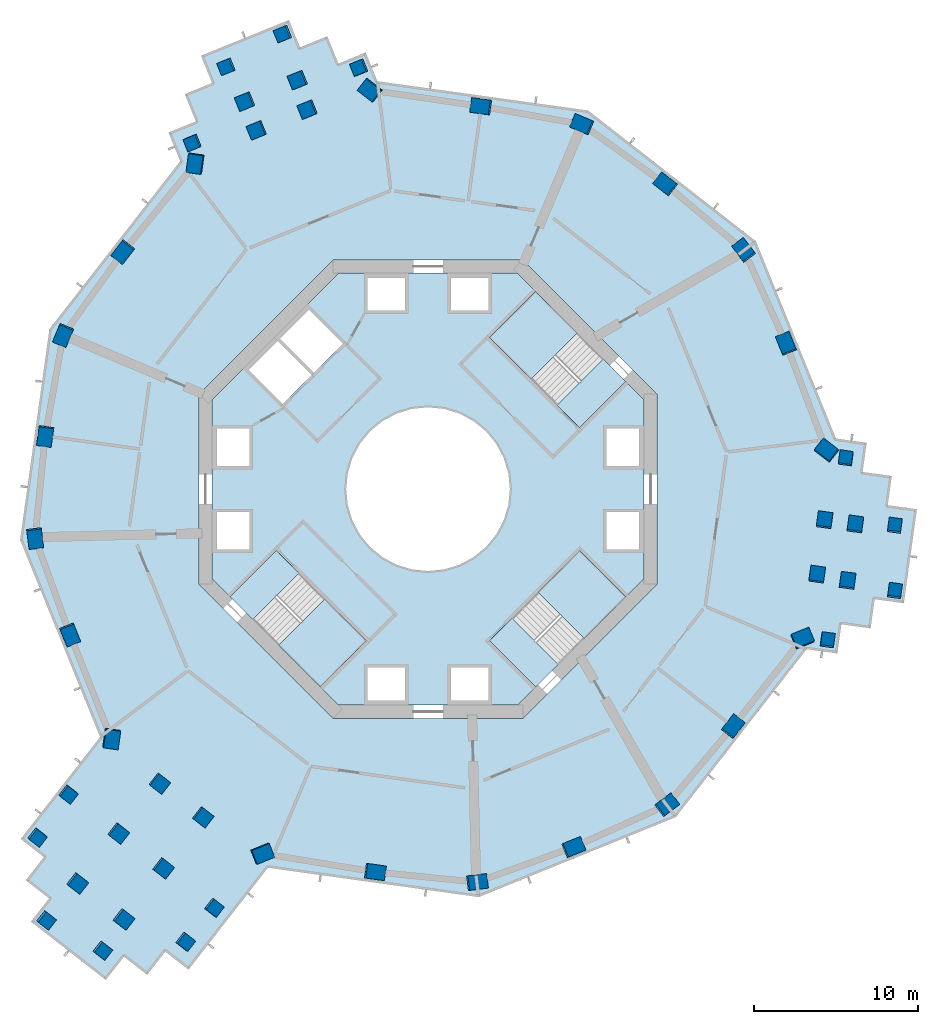
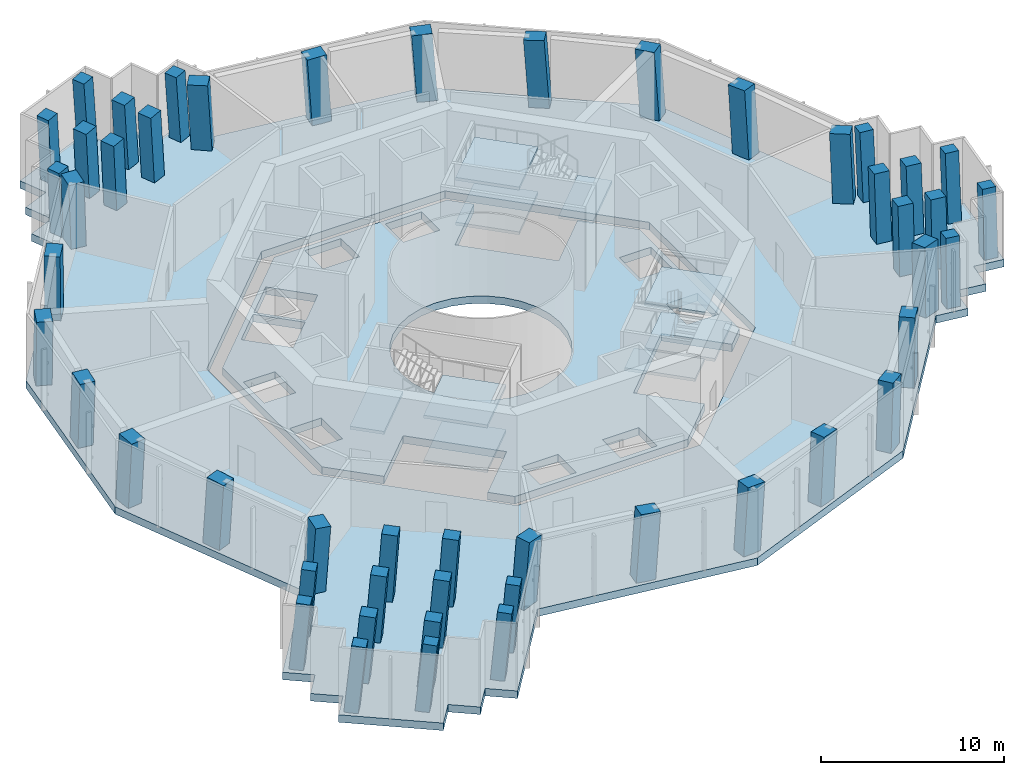
# One storey, part 1 of 17: 49 columns, 11 slabs, 3 elements without a shape of their own.
"""IFC4 building model written with IfcOpenShell, lengths in metres."""

from ifc_helpers import new_model, si_unit, direction, frame, origin, origin_2d, place, context, subcontext, project, spatial, polyline, rectangle, outline, extrude, material, layer, layer_set, material_profile, profile_set, type_object, element, aggregate, save


model = new_model("IFC4")

# Units and contexts
model_context = context("Model", 3, precision=1e-05, world=origin(), true_north=direction((0.0, 1.0)))
body_context = subcontext(model_context, "Body", "Model", "MODEL_VIEW")
ifc_project = project(units=[si_unit("LENGTHUNIT", "METRE"), si_unit("AREAUNIT", "SQUARE_METRE"), si_unit("VOLUMEUNIT", "CUBIC_METRE"), si_unit("PLANEANGLEUNIT", "RADIAN"), si_unit("MASSUNIT", "GRAM", prefix="KILO")], contexts=[model_context])

# Site, building, storey
site_placement = place(None, origin())
site = spatial("IfcSite", under=ifc_project, at=site_placement, CompositionType="ELEMENT")
building_placement = place(site_placement, origin())
building = spatial("IfcBuilding", under=site, at=building_placement, Name="Verdalira Terraces Hotel", CompositionType="ELEMENT")
storey_placement = place(building_placement, frame((0.0, 0.0, 122.0)))
storey = spatial("IfcBuildingStorey", under=building, at=storey_placement, Name="L29", CompositionType="ELEMENT", Elevation=122.0)

# Columns
ifc_material_1 = material(Name="Concrete C80", Category="concrete")
ifc_material_profile_1 = material_profile(ifc_material_1, rectangle(XDim=1.149902, YDim=0.899902, at=origin_2d()), Name="RC 1150X900")
ifc_profile_set_1 = profile_set([ifc_material_profile_1], Name="Concrete C80")
column_type_1 = type_object("IfcColumnType", Name="Column RC 1150X900 C80", PredefinedType="COLUMN", material=ifc_profile_set_1)
column_1_placement = place(storey_placement, frame((-14.204102, 19.905518, 0.0), z_axis=(-0.0551557, -0.040054188, 0.99767405), x_axis=(0.135402045, 0.989664955, 0.047218248)))
element("IfcColumn", 1, at=column_1_placement, inside=storey, type_object=column_type_1, Name="Column C03", PredefinedType="COLUMN", context=body_context, shape_type="SweptSolid", body=[
    extrude(rectangle(XDim=1.149902, YDim=0.899902, at=origin_2d()), origin(), (0.0, 0.0, 1.0), 4.510498),
])
column_2_placement = place(storey_placement, frame((-18.623779, 14.508789, 0.0), z_axis=(-0.040006427, -0.052241139, 0.997832826), x_axis=(-0.613325681, -0.787084661, -0.065797763)))
element("IfcColumn", 2, at=column_2_placement, inside=storey, type_object=column_type_1, Name="Column C04", PredefinedType="COLUMN", context=body_context, shape_type="SweptSolid", body=[
    extrude(rectangle(XDim=1.149902, YDim=0.899902, at=origin_2d()), origin(), (0.0, 0.0, 1.0), 4.509766),
])
column_3_placement = place(storey_placement, frame((-22.282715, 9.421631, 0.0), z_axis=(-0.025711797, -0.062303744, 0.997725988), x_axis=(0.388357572, 0.91904073, 0.067398314)))
element("IfcColumn", 3, at=column_3_placement, inside=storey, type_object=column_type_1, Name="Column C05", PredefinedType="COLUMN", context=body_context, shape_type="SweptSolid", body=[
    extrude(rectangle(XDim=1.149902, YDim=0.899902, at=origin_2d()), origin(), (0.0, 0.0, 1.0), 4.510254),
])
column_4_placement = place(storey_placement, frame((-23.383057, 3.25293, 0.0), z_axis=(-0.008553476, -0.065233788, 0.997833348), x_axis=(-0.13804495, -0.988238477, -0.065789847)))
element("IfcColumn", 4, at=column_4_placement, inside=storey, type_object=column_type_1, Name="Column C06", PredefinedType="COLUMN", context=body_context, shape_type="SweptSolid", body=[
    extrude(rectangle(XDim=1.149902, YDim=0.899902, at=origin_2d()), origin(), (0.0, 0.0, 1.0), 4.509766),
])
column_5_placement = place(storey_placement, frame((-24.008301, -2.981934, 0.0), z_axis=(0.008877346, -0.066796618, 0.997727119), x_axis=(-0.123115196, 0.990102203, 0.067381565)))
element("IfcColumn", 5, at=column_5_placement, inside=storey, type_object=column_type_1, Name="Column C07", PredefinedType="COLUMN", context=body_context, shape_type="SweptSolid", body=[
    extrude(rectangle(XDim=1.149902, YDim=0.899902, at=origin_2d()), origin(), (0.0, 0.0, 1.0), 4.510254),
])
column_6_placement = place(storey_placement, frame((-21.876953, -8.874512, 0.0), z_axis=(0.025227376, -0.060740591, 0.997834736), x_axis=(0.374966282, -0.924702521, -0.0657688)))
element("IfcColumn", 6, at=column_6_placement, inside=storey, type_object=column_type_1, Name="Column C08", PredefinedType="COLUMN", context=body_context, shape_type="SweptSolid", body=[
    extrude(rectangle(XDim=1.149902, YDim=0.899902, at=origin_2d()), origin(), (0.0, 0.0, 1.0), 4.509766),
])
column_7_placement = place(storey_placement, frame((-19.349609, -15.237549, 0.0), z_axis=(0.042921613, -0.053530234, 0.997643348), x_axis=(0.139559797, 0.989094403, 0.047067244)))
element("IfcColumn", 7, at=column_7_placement, inside=storey, type_object=column_type_1, Name="Column C09", PredefinedType="COLUMN", context=body_context, shape_type="SweptSolid", body=[
    extrude(rectangle(XDim=1.149902, YDim=0.899902, at=origin_2d()), origin(), (0.0, 0.0, 1.0), 4.510742),
])
column_8_placement = place(storey_placement, frame((-10.136475, -22.253906, 0.0), z_axis=(0.062246494, -0.027713222, 0.997675975), x_axis=(-0.924689522, -0.377785081, 0.04719873)))
element("IfcColumn", 8, at=column_8_placement, inside=storey, type_object=column_type_1, Name="Column C16", PredefinedType="COLUMN", context=body_context, shape_type="SweptSolid", body=[
    extrude(rectangle(XDim=1.149902, YDim=0.899902, at=origin_2d()), origin(), (0.0, 0.0, 1.0), 4.510498),
])
column_9_placement = place(storey_placement, frame((-3.25293, -23.383057, 0.0), z_axis=(0.065233788, -0.008553476, 0.997833348), x_axis=(0.988238477, -0.13804495, -0.065789847)))
element("IfcColumn", 9, at=column_9_placement, inside=storey, type_object=column_type_1, Name="Column C17", PredefinedType="COLUMN", context=body_context, shape_type="SweptSolid", body=[
    extrude(rectangle(XDim=1.149902, YDim=0.899902, at=origin_2d()), origin(), (0.0, 0.0, 1.0), 4.509766),
])
column_10_placement = place(storey_placement, frame((2.981934, -24.008301, 0.0), z_axis=(0.066796618, 0.008877346, 0.997727119), x_axis=(-0.990102203, -0.123115196, 0.067381565)))
element("IfcColumn", 10, at=column_10_placement, inside=storey, type_object=column_type_1, Name="Column C18", PredefinedType="COLUMN", context=body_context, shape_type="SweptSolid", body=[
    extrude(rectangle(XDim=1.149902, YDim=0.899902, at=origin_2d()), origin(), (0.0, 0.0, 1.0), 4.510254),
])
column_11_placement = place(storey_placement, frame((8.874512, -21.876953, 0.0), z_axis=(0.060740591, 0.025227376, 0.997834736), x_axis=(0.924702521, 0.374966282, -0.0657688)))
element("IfcColumn", 11, at=column_11_placement, inside=storey, type_object=column_type_1, Name="Column C19", PredefinedType="COLUMN", context=body_context, shape_type="SweptSolid", body=[
    extrude(rectangle(XDim=1.149902, YDim=0.899902, at=origin_2d()), origin(), (0.0, 0.0, 1.0), 4.509766),
])
column_12_placement = place(storey_placement, frame((14.586426, -19.300781, 0.0), z_axis=(0.053426422, 0.041084756, 0.997726245), x_axis=(-0.796001802, -0.60153064, 0.067394506)))
element("IfcColumn", 12, at=column_12_placement, inside=storey, type_object=column_type_1, Name="Column C20", PredefinedType="COLUMN", context=body_context, shape_type="SweptSolid", body=[
    extrude(rectangle(XDim=1.149902, YDim=0.899902, at=origin_2d()), origin(), (0.0, 0.0, 1.0), 4.510254),
])
column_13_placement = place(storey_placement, frame((18.623779, -14.508789, 0.0), z_axis=(0.040006427, 0.052241139, 0.997832826), x_axis=(0.613325681, 0.787084661, -0.065797763)))
element("IfcColumn", 13, at=column_13_placement, inside=storey, type_object=column_type_1, Name="Column C21", PredefinedType="COLUMN", context=body_context, shape_type="SweptSolid", body=[
    extrude(rectangle(XDim=1.149902, YDim=0.899902, at=origin_2d()), origin(), (0.0, 0.0, 1.0), 4.509766),
])
column_14_placement = place(storey_placement, frame((22.87085, -9.138672, 0.0), z_axis=(0.024951811, 0.063976227, 0.997639439), x_axis=(-0.92655509, -0.373197896, 0.047106218)))
element("IfcColumn", 14, at=column_14_placement, inside=storey, type_object=column_type_1, Name="Column C22", PredefinedType="COLUMN", context=body_context, shape_type="SweptSolid", body=[
    extrude(rectangle(XDim=1.149902, YDim=0.899902, at=origin_2d()), origin(), (0.0, 0.0, 1.0), 4.510742),
])
column_15_placement = place(storey_placement, frame((24.34082, 2.348389, 0.0), z_axis=(-0.007144812, 0.067767459, 0.99767556), x_axis=(0.789708349, -0.611663802, 0.04720294)))
element("IfcColumn", 15, at=column_15_placement, inside=storey, type_object=column_type_1, Name="Column C27", PredefinedType="COLUMN", context=body_context, shape_type="SweptSolid", body=[
    extrude(rectangle(XDim=1.149902, YDim=0.899902, at=origin_2d()), origin(), (0.0, 0.0, 1.0), 4.510498),
])
column_16_placement = place(storey_placement, frame((21.876953, 8.874512, 0.0), z_axis=(-0.025227376, 0.060740591, 0.997834736), x_axis=(-0.374966282, 0.924702521, -0.0657688)))
element("IfcColumn", 16, at=column_16_placement, inside=storey, type_object=column_type_1, Name="Column C28", PredefinedType="COLUMN", context=body_context, shape_type="SweptSolid", body=[
    extrude(rectangle(XDim=1.149902, YDim=0.899902, at=origin_2d()), origin(), (0.0, 0.0, 1.0), 4.509766),
])
column_17_placement = place(storey_placement, frame((19.300781, 14.586426, 0.0), z_axis=(-0.041084756, 0.053426422, 0.997726245), x_axis=(0.60153064, -0.796001802, 0.067394506)))
element("IfcColumn", 17, at=column_17_placement, inside=storey, type_object=column_type_1, Name="Column C29", PredefinedType="COLUMN", context=body_context, shape_type="SweptSolid", body=[
    extrude(rectangle(XDim=1.149902, YDim=0.899902, at=origin_2d()), origin(), (0.0, 0.0, 1.0), 4.510254),
])
column_18_placement = place(storey_placement, frame((14.508789, 18.623779, 0.0), z_axis=(-0.052241139, 0.040006427, 0.997832826), x_axis=(-0.787084661, 0.613325681, -0.065797763)))
element("IfcColumn", 18, at=column_18_placement, inside=storey, type_object=column_type_1, Name="Column C30", PredefinedType="COLUMN", context=body_context, shape_type="SweptSolid", body=[
    extrude(rectangle(XDim=1.149902, YDim=0.899902, at=origin_2d()), origin(), (0.0, 0.0, 1.0), 4.509766),
])
column_19_placement = place(storey_placement, frame((9.421631, 22.282715, 0.0), z_axis=(-0.062303744, 0.025711797, 0.997725988), x_axis=(0.91904073, -0.388357572, 0.067398314)))
element("IfcColumn", 19, at=column_19_placement, inside=storey, type_object=column_type_1, Name="Column C31", PredefinedType="COLUMN", context=body_context, shape_type="SweptSolid", body=[
    extrude(rectangle(XDim=1.149902, YDim=0.899902, at=origin_2d()), origin(), (0.0, 0.0, 1.0), 4.510254),
])
column_20_placement = place(storey_placement, frame((3.25293, 23.383057, 0.0), z_axis=(-0.065233788, 0.008553476, 0.997833348), x_axis=(-0.988238477, 0.13804495, -0.065789847)))
element("IfcColumn", 20, at=column_20_placement, inside=storey, type_object=column_type_1, Name="Column C32", PredefinedType="COLUMN", context=body_context, shape_type="SweptSolid", body=[
    extrude(rectangle(XDim=1.149902, YDim=0.899902, at=origin_2d()), origin(), (0.0, 0.0, 1.0), 4.509766),
])
column_21_placement = place(storey_placement, frame((-3.52124, 24.375977, 0.0), z_axis=(-0.067819406, -0.01039212, 0.997643489), x_axis=(0.786677122, -0.61556796, 0.04706583)))
element("IfcColumn", 21, at=column_21_placement, inside=storey, type_object=column_type_1, Name="Column C33", PredefinedType="COLUMN", context=body_context, shape_type="SweptSolid", body=[
    extrude(rectangle(XDim=1.149902, YDim=0.899902, at=origin_2d()), origin(), (0.0, 0.0, 1.0), 4.510742),
])
ifc_material_2 = material(Name="Concrete C80", Category="concrete")
ifc_material_profile_2 = material_profile(ifc_material_2, rectangle(XDim=0.800049, YDim=0.800049, at=origin_2d()), Name="RC 800X800")
ifc_profile_set_2 = profile_set([ifc_material_profile_2], Name="Concrete C80")
column_type_2 = type_object("IfcColumnType", Name="Column RC 800X800 C80", PredefinedType="COLUMN", material=ifc_profile_set_2)
column_22_placement = place(storey_placement, frame((-4.19873, 25.753418, 0.0), z_axis=(-0.071587756, -0.012283009, 0.997358672), x_axis=(-0.374774747, 0.926986588, -0.015483997)))
element("IfcColumn", 22, at=column_22_placement, inside=storey, type_object=column_type_2, Name="Column C01", PredefinedType="COLUMN", context=body_context, shape_type="SweptSolid", body=[
    extrude(rectangle(XDim=0.800049, YDim=0.800049, at=origin_2d()), origin(), (0.0, 0.0, 1.0), 4.511963),
])
column_23_placement = place(storey_placement, frame((-14.382324, 21.169189, 0.0), z_axis=(-0.058607147, -0.040532551, 0.997457926), x_axis=(0.376784622, -0.92617125, -0.015497207)))
element("IfcColumn", 23, at=column_23_placement, inside=storey, type_object=column_type_2, Name="Column C02", PredefinedType="COLUMN", context=body_context, shape_type="SweptSolid", body=[
    extrude(rectangle(XDim=0.800049, YDim=0.800049, at=origin_2d()), origin(), (0.0, 0.0, 1.0), 4.511475),
])
column_24_placement = place(storey_placement, frame((-21.988281, -18.624756, 0.0), z_axis=(0.052294353, -0.060730671, 0.99678337), x_axis=(-0.615654621, -0.787859645, -0.015702494)))
element("IfcColumn", 24, at=column_24_placement, inside=storey, type_object=column_type_2, Name="Column C10", PredefinedType="COLUMN", context=body_context, shape_type="SweptSolid", body=[
    extrude(rectangle(XDim=0.800049, YDim=0.800049, at=origin_2d()), origin(), (0.0, 0.0, 1.0), 4.514404),
])
column_25_placement = place(storey_placement, frame((-23.891113, -21.246094, 0.0), z_axis=(0.059658397, -0.06598089, 0.996035842), x_axis=(-0.615647984, -0.787872426, -0.01531667)))
element("IfcColumn", 25, at=column_25_placement, inside=storey, type_object=column_type_2, Name="Column C11", PredefinedType="COLUMN", context=body_context, shape_type="SweptSolid", body=[
    extrude(rectangle(XDim=0.800049, YDim=0.800049, at=origin_2d()), origin(), (0.0, 0.0, 1.0), 4.517822),
])
column_26_placement = place(storey_placement, frame((-23.3479, -26.308838, 0.0), z_axis=(0.073647188, -0.064306305, 0.995208918), x_axis=(0.785227764, -0.611463808, -0.097618493)))
element("IfcColumn", 26, at=column_26_placement, inside=storey, type_object=column_type_2, Name="Column C12", PredefinedType="COLUMN", context=body_context, shape_type="SweptSolid", body=[
    extrude(rectangle(XDim=0.800049, YDim=0.800049, at=origin_2d()), origin(), (0.0, 0.0, 1.0), 4.521729),
])
column_27_placement = place(storey_placement, frame((-19.911377, -28.162109, 0.0), z_axis=(0.078737163, -0.054705587, 0.995393268), x_axis=(0.784829412, -0.612273115, -0.095731009)))
element("IfcColumn", 27, at=column_27_placement, inside=storey, type_object=column_type_2, Name="Column C13", PredefinedType="COLUMN", context=body_context, shape_type="SweptSolid", body=[
    extrude(rectangle(XDim=0.800049, YDim=0.800049, at=origin_2d()), origin(), (0.0, 0.0, 1.0), 4.520752),
])
column_28_placement = place(storey_placement, frame((-14.84668, -27.632812, 0.0), z_axis=(0.077232223, -0.040696896, 0.996182185), x_axis=(0.613696579, 0.789393125, -0.015329828)))
element("IfcColumn", 28, at=column_28_placement, inside=storey, type_object=column_type_2, Name="Column C14", PredefinedType="COLUMN", context=body_context, shape_type="SweptSolid", body=[
    extrude(rectangle(XDim=0.800049, YDim=0.800049, at=origin_2d()), origin(), (0.0, 0.0, 1.0), 4.517334),
])
column_29_placement = place(storey_placement, frame((-13.090088, -25.556885, 0.0), z_axis=(0.071493321, -0.03585482, 0.996796437), x_axis=(0.613425923, 0.789598275, -0.015594912)))
element("IfcColumn", 29, at=column_29_placement, inside=storey, type_object=column_type_2, Name="Column C15", PredefinedType="COLUMN", context=body_context, shape_type="SweptSolid", body=[
    extrude(rectangle(XDim=0.800049, YDim=0.800049, at=origin_2d()), origin(), (0.0, 0.0, 1.0), 4.514404),
])
column_30_placement = place(storey_placement, frame((24.402588, -9.240479, 0.0), z_axis=(0.02516125, 0.06812476, 0.997359478), x_axis=(0.990163816, -0.139053716, -0.015481638)))
element("IfcColumn", 30, at=column_30_placement, inside=storey, type_object=column_type_2, Name="Column C23", PredefinedType="COLUMN", context=body_context, shape_type="SweptSolid", body=[
    extrude(rectangle(XDim=0.800049, YDim=0.800049, at=origin_2d()), origin(), (0.0, 0.0, 1.0), 4.511963),
])
column_31_placement = place(storey_placement, frame((28.515381, -6.238525, 0.0), z_axis=(0.016708928, 0.079489077, 0.99669569), x_axis=(0.137061668, 0.987242507, -0.081032907)))
element("IfcColumn", 31, at=column_31_placement, inside=storey, type_object=column_type_2, Name="Column C24", PredefinedType="COLUMN", context=body_context, shape_type="SweptSolid", body=[
    extrude(rectangle(XDim=0.800049, YDim=0.800049, at=origin_2d()), origin(), (0.0, 0.0, 1.0), 4.514893),
])
column_32_placement = place(storey_placement, frame((28.514893, -2.250488, 0.0), z_axis=(0.005570382, 0.079391462, 0.996827952), x_axis=(0.13744941, 0.987321083, -0.079402378)))
element("IfcColumn", 32, at=column_32_placement, inside=storey, type_object=column_type_2, Name="Column C25", PredefinedType="COLUMN", context=body_context, shape_type="SweptSolid", body=[
    extrude(rectangle(XDim=0.800049, YDim=0.800049, at=origin_2d()), origin(), (0.0, 0.0, 1.0), 4.514404),
])
column_33_placement = place(storey_placement, frame((25.52417, 1.87085, 0.0), z_axis=(-0.005790352, 0.071053566, 0.997455695), x_axis=(-0.990459232, 0.136931133, -0.015503999)))
element("IfcColumn", 33, at=column_33_placement, inside=storey, type_object=column_type_2, Name="Column C26", PredefinedType="COLUMN", context=body_context, shape_type="SweptSolid", body=[
    extrude(rectangle(XDim=0.800049, YDim=0.800049, at=origin_2d()), origin(), (0.0, 0.0, 1.0), 4.511475),
])
column_34_placement = place(storey_placement, frame((-8.854736, 27.814209, 0.0), z_axis=(-0.07721786, -0.025252619, 0.99669439), x_axis=(-0.923635433, -0.374604693, -0.081048817)))
element("IfcColumn", 34, at=column_34_placement, inside=storey, type_object=column_type_2, Name="Column C34", PredefinedType="COLUMN", context=body_context, shape_type="SweptSolid", body=[
    extrude(rectangle(XDim=0.800049, YDim=0.800049, at=origin_2d()), origin(), (0.0, 0.0, 1.0), 4.514893),
])
column_35_placement = place(storey_placement, frame((-12.30835, 25.819824, 0.0), z_axis=(-0.071603526, -0.034828301, 0.996824922), x_axis=(-0.924080604, -0.373850618, -0.079440241)))
element("IfcColumn", 35, at=column_35_placement, inside=storey, type_object=column_type_2, Name="Column C35", PredefinedType="COLUMN", context=body_context, shape_type="SweptSolid", body=[
    extrude(rectangle(XDim=0.800049, YDim=0.800049, at=origin_2d()), origin(), (0.0, 0.0, 1.0), 4.514404),
])
ifc_material_3 = material(Name="Concrete C80", Category="concrete")
ifc_material_profile_3 = material_profile(ifc_material_3, rectangle(XDim=0.899902, YDim=0.899902, at=origin_2d()), Name="RC 900X900")
ifc_profile_set_3 = profile_set([ifc_material_profile_3], Name="Concrete C80")
column_type_3 = type_object("IfcColumnType", Name="Column RC 900X900 C80", PredefinedType="COLUMN", material=ifc_profile_set_3)
column_36_placement = place(storey_placement, frame((-7.352051, 23.195801, 0.0), z_axis=(-0.064467192, -0.021001906, 0.997698803), x_axis=(-0.37524337, 0.926914233, -0.004734816)))
element("IfcColumn", 36, at=column_36_placement, inside=storey, type_object=column_type_3, Name="Column C36", PredefinedType="COLUMN", context=body_context, shape_type="SweptSolid", body=[
    extrude(rectangle(XDim=0.899902, YDim=0.899902, at=origin_2d()), origin(), (0.0, 0.0, 1.0), 4.510498),
])
column_37_placement = place(storey_placement, frame((-10.462402, 21.934082, 0.0), z_axis=(-0.06084105, -0.029662718, 0.997706615), x_axis=(-0.376355977, 0.926463746, 0.004594076)))
element("IfcColumn", 37, at=column_37_placement, inside=storey, type_object=column_type_3, Name="Column C37", PredefinedType="COLUMN", context=body_context, shape_type="SweptSolid", body=[
    extrude(rectangle(XDim=0.899902, YDim=0.899902, at=origin_2d()), origin(), (0.0, 0.0, 1.0), 4.510254),
])
for number, where, z_axis, x_axis, name in (
    (38, (-7.949707, 24.998047, 0.0), (-0.069421253, -0.022725585, 0.99732855), (-0.375639641, 0.926752157, -0.005029826), "Column C38"),
    (39, (-11.174561, 23.689941, 0.0), (-0.065742261, -0.031653681, 0.997334447), (-0.375831119, 0.926676571, 0.004637098), "Column C39"),
):
    element("IfcColumn", number, at=place(storey_placement, frame(where, z_axis=z_axis, x_axis=x_axis)), inside=storey, type_object=column_type_3, Name=name, PredefinedType="COLUMN", context=body_context, shape_type="SweptSolid", body=[
        extrude(rectangle(XDim=0.899902, YDim=0.899902, at=origin_2d()), origin(), (0.0, 0.0, 1.0), 4.511963),
    ])
for number, where, z_axis, x_axis, name in (
    (40, (-16.412109, -17.965088, 0.0), (0.050393874, -0.045305771, 0.99770128), (-0.61512318, -0.788416818, -0.00473227), "Column C40"),
    (41, (-13.764404, -20.027832, 0.0), (0.056131799, -0.037836189, 0.997706191), (-0.613799695, -0.789448431, 0.0045945), "Column C41"),
):
    element("IfcColumn", number, at=place(storey_placement, frame(where, z_axis=z_axis, x_axis=x_axis)), inside=storey, type_object=column_type_3, Name=name, PredefinedType="COLUMN", context=body_context, shape_type="SweptSolid", body=[
        extrude(rectangle(XDim=0.899902, YDim=0.899902, at=origin_2d()), origin(), (0.0, 0.0, 1.0), 4.510254),
    ])
for number, where, z_axis, x_axis, name in (
    (42, (-18.926514, -21.01001, 0.0), (0.058952694, -0.052192064, 0.996895465), (-0.614663199, -0.788774161, -0.004947058), "Column C42"),
    (43, (-16.190186, -23.141602, 0.0), (0.064794366, -0.044566409, 0.996902967), (-0.614587695, -0.788834618, 0.004680791), "Column C43"),
):
    element("IfcColumn", number, at=place(storey_placement, frame(where, z_axis=z_axis, x_axis=x_axis)), inside=storey, type_object=column_type_3, Name=name, PredefinedType="COLUMN", context=body_context, shape_type="SweptSolid", body=[
        extrude(rectangle(XDim=0.899902, YDim=0.899902, at=origin_2d()), origin(), (0.0, 0.0, 1.0), 4.513916),
    ])
column_38_placement = place(storey_placement, frame((-21.440918, -24.054932, 0.0), z_axis=(0.067435527, -0.059114156, 0.995970866), x_axis=(-0.615007329, -0.788504514, -0.005159223)))
element("IfcColumn", 44, at=column_38_placement, inside=storey, type_object=column_type_3, Name="Column C44", PredefinedType="COLUMN", context=body_context, shape_type="SweptSolid", body=[
    extrude(rectangle(XDim=0.899902, YDim=0.899902, at=origin_2d()), origin(), (0.0, 0.0, 1.0), 4.518311),
])
column_39_placement = place(storey_placement, frame((-18.616211, -26.255615, 0.0), z_axis=(0.073488285, -0.051171622, 0.995982398), x_axis=(-0.614112575, -0.789204059, 0.004764369)))
element("IfcColumn", 45, at=column_39_placement, inside=storey, type_object=column_type_3, Name="Column C45", PredefinedType="COLUMN", context=body_context, shape_type="SweptSolid", body=[
    extrude(rectangle(XDim=0.899902, YDim=0.899902, at=origin_2d()), origin(), (0.0, 0.0, 1.0), 4.518066),
])
for number, where, z_axis, x_axis, name in (
    (46, (23.764404, -5.230713, 0.0), (0.013965223, 0.066307743, 0.997701486), (0.990502818, -0.137410968, -0.004732058), "Column C46"),
    (47, (24.226807, -1.906494, 0.0), (0.004709218, 0.067552914, 0.997704579), (0.99056935, -0.136935164, 0.004596113), "Column C47"),
):
    element("IfcColumn", number, at=place(storey_placement, frame(where, z_axis=z_axis, x_axis=x_axis)), inside=storey, type_object=column_type_3, Name=name, PredefinedType="COLUMN", context=body_context, shape_type="SweptSolid", body=[
        extrude(rectangle(XDim=0.899902, YDim=0.899902, at=origin_2d()), origin(), (0.0, 0.0, 1.0), 4.510254),
    ])
for number, where, z_axis, x_axis, name in (
    (48, (25.623779, -5.614502, 0.0), (0.015042177, 0.071477394, 0.99732879), (0.990385304, -0.138244898, -0.005029601), "Column C48"),
    (49, (26.103271, -2.16748, 0.0), (0.005410881, 0.072776351, 0.997333608), (0.990532134, -0.137202705, 0.004637827), "Column C49"),
):
    element("IfcColumn", number, at=place(storey_placement, frame(where, z_axis=z_axis, x_axis=x_axis)), inside=storey, type_object=column_type_3, Name=name, PredefinedType="COLUMN", context=body_context, shape_type="SweptSolid", body=[
        extrude(rectangle(XDim=0.899902, YDim=0.899902, at=origin_2d()), origin(), (0.0, 0.0, 1.0), 4.511963),
    ])

# Slab
ifc_material_4 = material(Name="Concrete C40", Category="concrete")
ifc_layer_1 = layer(ifc_material_4, 0.5)
ifc_layer_set_1 = layer_set([ifc_layer_1], Name="Core floor slab 500 mm")
slab_type_1 = type_object("IfcSlabType", Name="Core floor slab 500 mm", PredefinedType="FLOOR", material=ifc_layer_set_1)
slab_1_placement = place(storey_placement, frame((0.0, 0.0, -0.5)))
element("IfcSlab", 50, at=slab_1_placement, inside=storey, type_object=slab_type_1, Name="L29 core floor", PredefinedType="FLOOR", context=body_context, shape_type="SweptSolid", body=[
    extrude(outline(polyline([(-5.467529, 13.199951), (5.467529, 13.199951), (6.562012, 12.105713), (3.719482, 9.263184), (7.869629, 5.112793), (10.712402, 7.955322), (13.199951, 5.467529), (13.199951, -5.467529), (12.105713, -6.562012), (9.263184, -3.719482), (5.112793, -7.869629), (7.955322, -10.712402), (5.467529, -13.199951), (-5.467529, -13.199951), (-6.562012, -12.105713), (-3.719482, -9.263184), (-7.869629, -5.112793), (-10.712402, -7.955322), (-13.199951, -5.467529), (-13.199951, 5.467529), (-5.467529, 13.199951)]), holes=[polyline([(12.899902, -3.699951), (12.899902, -1.399902), (10.899902, -1.399902), (10.899902, -3.699951), (12.899902, -3.699951)]), polyline([(12.899902, 1.399902), (12.899902, 3.699951), (10.899902, 3.699951), (10.899902, 1.399902), (12.899902, 1.399902)]), polyline([(1.399902, 10.899902), (3.699951, 10.899902), (3.699951, 12.899902), (1.399902, 12.899902), (1.399902, 10.899902)]), polyline([(-3.699951, 10.899902), (-1.399902, 10.899902), (-1.399902, 12.899902), (-3.699951, 12.899902), (-3.699951, 10.899902)]), polyline([(-12.899902, 3.699951), (-12.899902, 1.399902), (-10.899902, 1.399902), (-10.899902, 3.699951), (-12.899902, 3.699951)]), polyline([(-12.899902, -1.399902), (-12.899902, -3.699951), (-10.899902, -3.699951), (-10.899902, -1.399902), (-12.899902, -1.399902)]), polyline([(-1.399902, -10.899902), (-3.699951, -10.899902), (-3.699951, -12.899902), (-1.399902, -12.899902), (-1.399902, -10.899902)]), polyline([(3.699951, -10.899902), (1.399902, -10.899902), (1.399902, -12.899902), (3.699951, -12.899902), (3.699951, -10.899902)]), polyline([(-9.051025, 9.192383), (-6.965088, 7.106445), (-5.197266, 8.874268), (-7.283203, 10.960205), (-9.051025, 9.192383)]), polyline([(-9.192383, 9.051025), (-10.960205, 7.283203), (-8.874268, 5.197266), (-7.106445, 6.965088), (-9.192383, 9.051025)]), polyline([(3.5354, 3.5354), (2.777832, 4.157227), (1.91333, 4.619385), (0.975586, 4.903809), (0.0, 5.0), (-0.975586, 4.903809), (-1.91333, 4.619385), (-2.777832, 4.157227), (-3.5354, 3.5354), (-4.157227, 2.777832), (-4.619385, 1.91333), (-4.903809, 0.975586), (-5.0, 0.0), (-4.903809, -0.975586), (-4.619385, -1.91333), (-4.157227, -2.777832), (-3.5354, -3.5354), (-2.777832, -4.157227), (-1.91333, -4.619385), (-0.975586, -4.903809), (0.0, -5.0), (0.975586, -4.903809), (1.91333, -4.619385), (2.777832, -4.157227), (3.5354, -3.5354), (4.157227, -2.777832), (4.619385, -1.91333), (4.903809, -0.975586), (5.0, 0.0), (4.903809, 0.975586), (4.619385, 1.91333), (4.157227, 2.777832), (3.5354, 3.5354)])]), origin(), (0.0, 0.0, 1.0), 0.5),
])

# Stair, slabs
ifc_material_5 = material(Name="Concrete C40", Category="concrete")
stair_type = type_object("IfcStairType", Name="Core stair 36 risers 1950 mm wide", PredefinedType="HALF_TURN_STAIR", material=ifc_material_5)
stair_1_placement = place(storey_placement, origin())
stair_1 = element("IfcStair", 51, at=stair_1_placement, inside=storey, type_object=stair_type, Name="L29 Exit stair ST1", PredefinedType="HALF_TURN_STAIR")
ifc_material_6 = material(Name="Concrete C40", Category="concrete")
ifc_layer_2 = layer(ifc_material_6, 0.199951171875)
ifc_layer_set_2 = layer_set([ifc_layer_2], Name="Core stair landing 200 mm")
slab_type_2 = type_object("IfcSlabType", Name="Core stair landing 200 mm", PredefinedType="LANDING", material=ifc_layer_set_2)
slab_2_placement = place(storey_placement, frame((0.0, 0.0, 1.300049)))
slab_2 = element("IfcSlab", 52, at=slab_2_placement, type_object=slab_type_2, Name="ST1 landing 1", PredefinedType="LANDING", context=body_context, shape_type="SweptSolid", body=[
    extrude(outline(polyline([(9.12915, 9.538574), (6.576172, 12.091553), (3.747559, 9.263184), (6.300781, 6.710205), (9.12915, 9.538574)])), origin(), (0.0, 0.0, 1.0), 0.199951),
])
slab_3_placement = place(storey_placement, frame((0.0, 0.0, 2.800049)))
slab_3 = element("IfcSlab", 53, at=slab_3_placement, type_object=slab_type_2, Name="ST1 landing 2", PredefinedType="LANDING", context=body_context, shape_type="SweptSolid", body=[
    extrude(outline(polyline([(12.091553, 6.576172), (10.712402, 7.955322), (7.883789, 5.126953), (9.263184, 3.747559), (12.091553, 6.576172)])), origin(), (0.0, 0.0, 1.0), 0.199951),
])
slab_4_placement = place(storey_placement, frame((0.0, 0.0, 4.300049)))
slab_4 = element("IfcSlab", 54, at=slab_4_placement, type_object=slab_type_2, Name="ST1 landing 3", PredefinedType="LANDING", context=body_context, shape_type="SweptSolid", body=[
    extrude(outline(polyline([(9.12915, 9.538574), (6.576172, 12.091553), (3.747559, 9.263184), (6.300781, 6.710205), (9.12915, 9.538574)])), origin(), (0.0, 0.0, 1.0), 0.199951),
])
aggregate(stair_1, [slab_2, slab_3, slab_4])

stair_2_placement = place(storey_placement, origin())
stair_2 = element("IfcStair", 55, at=stair_2_placement, inside=storey, type_object=stair_type, Name="L29 Exit stair ST2", PredefinedType="HALF_TURN_STAIR")
slab_5_placement = place(storey_placement, frame((0.0, 0.0, 1.300049)))
slab_5 = element("IfcSlab", 56, at=slab_5_placement, type_object=slab_type_2, Name="ST2 landing 1", PredefinedType="LANDING", context=body_context, shape_type="SweptSolid", body=[
    extrude(outline(polyline([(-9.12915, -9.538574), (-6.576172, -12.091553), (-3.747559, -9.263184), (-6.300781, -6.710205), (-9.12915, -9.538574)])), origin(), (0.0, 0.0, 1.0), 0.199951),
])
slab_6_placement = place(storey_placement, frame((0.0, 0.0, 2.800049)))
slab_6 = element("IfcSlab", 57, at=slab_6_placement, type_object=slab_type_2, Name="ST2 landing 2", PredefinedType="LANDING", context=body_context, shape_type="SweptSolid", body=[
    extrude(outline(polyline([(-12.091553, -6.576172), (-10.712402, -7.955322), (-7.883789, -5.126953), (-9.263184, -3.747559), (-12.091553, -6.576172)])), origin(), (0.0, 0.0, 1.0), 0.199951),
])
slab_7_placement = place(storey_placement, frame((0.0, 0.0, 4.300049)))
slab_7 = element("IfcSlab", 58, at=slab_7_placement, type_object=slab_type_2, Name="ST2 landing 3", PredefinedType="LANDING", context=body_context, shape_type="SweptSolid", body=[
    extrude(outline(polyline([(-9.12915, -9.538574), (-6.576172, -12.091553), (-3.747559, -9.263184), (-6.300781, -6.710205), (-9.12915, -9.538574)])), origin(), (0.0, 0.0, 1.0), 0.199951),
])
aggregate(stair_2, [slab_5, slab_6, slab_7])

stair_3_placement = place(storey_placement, origin())
stair_3 = element("IfcStair", 59, at=stair_3_placement, inside=storey, type_object=stair_type, Name="L29 Exit stair ST3", PredefinedType="HALF_TURN_STAIR")
slab_8_placement = place(storey_placement, frame((0.0, 0.0, 1.300049)))
slab_8 = element("IfcSlab", 60, at=slab_8_placement, type_object=slab_type_2, Name="ST3 landing 1", PredefinedType="LANDING", context=body_context, shape_type="SweptSolid", body=[
    extrude(outline(polyline([(9.538574, -9.12915), (12.091553, -6.576172), (9.263184, -3.747559), (6.710205, -6.300781), (9.538574, -9.12915)])), origin(), (0.0, 0.0, 1.0), 0.199951),
])
slab_9_placement = place(storey_placement, frame((0.0, 0.0, 2.800049)))
slab_9 = element("IfcSlab", 61, at=slab_9_placement, type_object=slab_type_2, Name="ST3 landing 2", PredefinedType="LANDING", context=body_context, shape_type="SweptSolid", body=[
    extrude(outline(polyline([(6.576172, -12.091553), (7.955322, -10.712402), (5.126953, -7.883789), (3.747559, -9.263184), (6.576172, -12.091553)])), origin(), (0.0, 0.0, 1.0), 0.199951),
])
slab_10_placement = place(storey_placement, frame((0.0, 0.0, 4.300049)))
slab_10 = element("IfcSlab", 62, at=slab_10_placement, type_object=slab_type_2, Name="ST3 landing 3", PredefinedType="LANDING", context=body_context, shape_type="SweptSolid", body=[
    extrude(outline(polyline([(9.538574, -9.12915), (12.091553, -6.576172), (9.263184, -3.747559), (6.710205, -6.300781), (9.538574, -9.12915)])), origin(), (0.0, 0.0, 1.0), 0.199951),
])
aggregate(stair_3, [slab_8, slab_9, slab_10])

# Slab
ifc_material_7 = material(Name="Concrete C40", Category="concrete")
ifc_layer_3 = layer(ifc_material_7, 0.5)
ifc_layer_set_3 = layer_set([ifc_layer_3], Name="Plant floor slab 500 C40")
slab_type_3 = type_object("IfcSlabType", Name="Plant floor slab 500 C40", PredefinedType="FLOOR", material=ifc_layer_set_3)
slab_11_placement = place(storey_placement, frame((0.0, 0.0, -0.5)))
element("IfcSlab", 63, at=slab_11_placement, inside=storey, type_object=slab_type_3, Name="Plant floor slab L29", PredefinedType="FLOOR", context=body_context, shape_type="SweptSolid", body=[
    extrude(outline(polyline([(9.780518, 23.131348), (-3.095459, 24.922607), (-3.807617, 26.678223), (-5.475586, 26.001709), (-6.1521, 27.669678), (-7.820312, 26.99292), (-8.496826, 28.660889), (-13.871582, 26.480713), (-13.194824, 24.812744), (-14.862793, 24.13623), (-14.186279, 22.468262), (-15.854248, 21.791504), (-15.14209, 20.035889), (-23.131348, 9.780518), (-24.922607, -3.095459), (-20.035889, -15.14209), (-24.887695, -21.369873), (-23.467529, -22.476074), (-24.573975, -23.895996), (-23.153809, -25.002197), (-24.26001, -26.422119), (-19.684814, -29.986816), (-18.578369, -28.56665), (-17.158447, -29.672852), (-16.052246, -28.25293), (-14.632324, -29.359131), (-9.780518, -23.131348), (3.095459, -24.922607), (15.14209, -20.035889), (23.131348, -9.780518), (25.007812, -10.041504), (25.255859, -8.258789), (27.038818, -8.506836), (27.286865, -6.724121), (29.06958, -6.971924), (29.868896, -1.227295), (28.085938, -0.979248), (28.333984, 0.803467), (26.551025, 1.051514), (26.799316, 2.834473), (24.922607, 3.095459), (20.035889, 15.14209), (9.780518, 23.131348)]), holes=[polyline([(5.799072, 14.0), (14.0, 5.799072), (14.0, -5.799072), (5.799072, -14.0), (-5.799072, -14.0), (-14.0, -5.799072), (-14.0, 5.799072), (-5.799072, 14.0), (5.799072, 14.0)])]), origin(), (0.0, 0.0, 1.0), 0.5),
])

save(model, "model.ifc")
